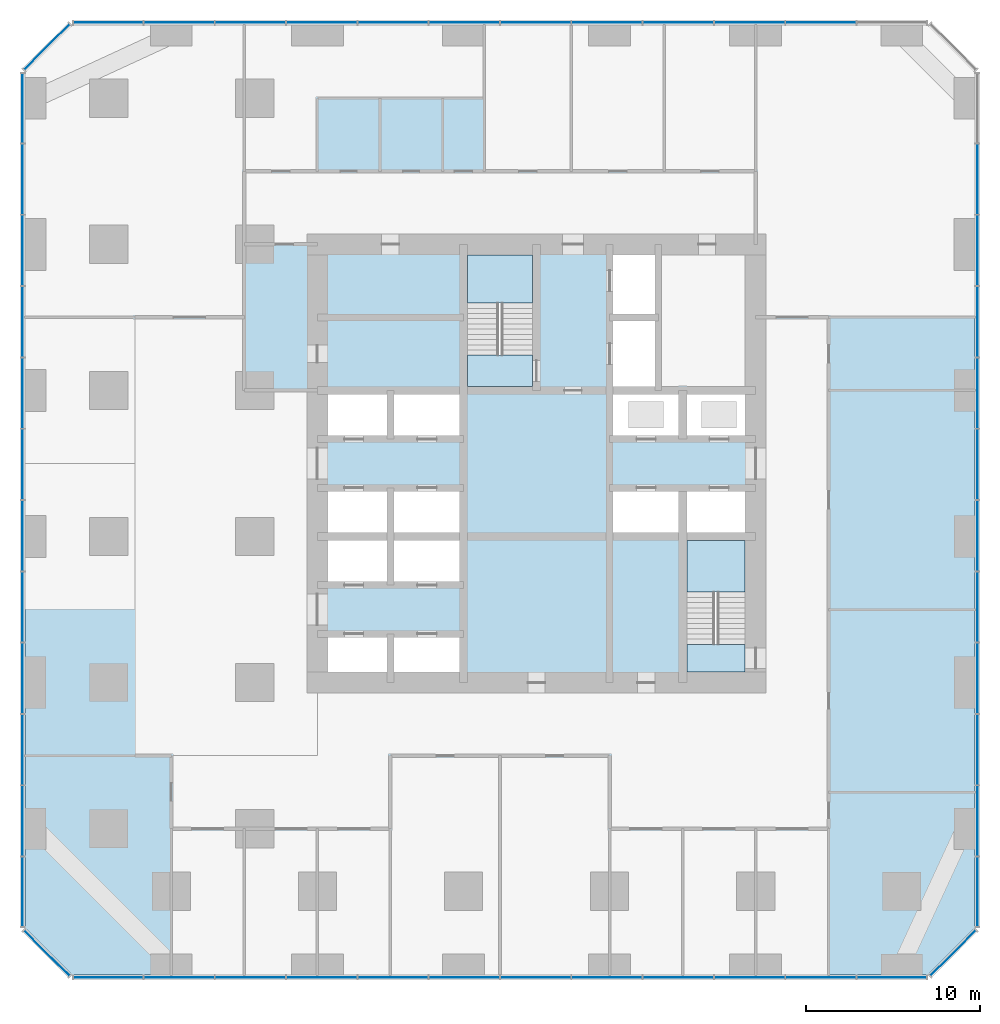
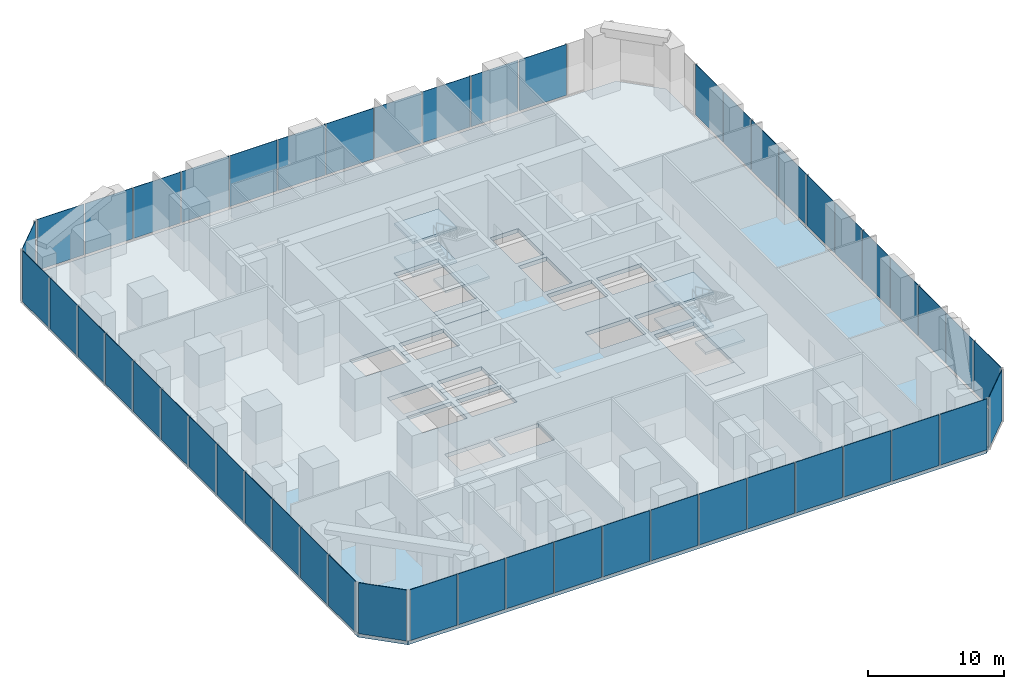
# One storey, part 6 of 13: 49 plates, 9 slabs, 9 elements without a shape of their own.
"""IFC4 building model written with IfcOpenShell, lengths in metres."""

from ifc_helpers import new_model, si_unit, direction, frame, origin, origin_2d, place, context, subcontext, project, spatial, polyline, rectangle, outline, extrude, material, layer, layer_set, type_object, element, aggregate, save


model = new_model("IFC4")

# Units and contexts
model_context = context("Model", 3, precision=1e-05, world=origin(), true_north=direction((0.0, 1.0)))
body_context = subcontext(model_context, "Body", "Model", "MODEL_VIEW")
ifc_project = project(units=[si_unit("LENGTHUNIT", "METRE"), si_unit("AREAUNIT", "SQUARE_METRE"), si_unit("VOLUMEUNIT", "CUBIC_METRE"), si_unit("PLANEANGLEUNIT", "RADIAN"), si_unit("MASSUNIT", "GRAM", prefix="KILO")], contexts=[model_context])

# Site, building, storey
site_placement = place(None, origin())
site = spatial("IfcSite", under=ifc_project, at=site_placement, CompositionType="ELEMENT")
building_placement = place(site_placement, origin())
building = spatial("IfcBuilding", under=site, at=building_placement, Name="Dunama Terrace Hotel", CompositionType="ELEMENT")
storey_placement = place(building_placement, frame((0.0, 0.0, 147.60009765625)))
storey = spatial("IfcBuildingStorey", under=building, at=storey_placement, Name="L38", CompositionType="ELEMENT", Elevation=147.60009765625)

# Curtain wall, plates
ifc_material_1 = material(Name="Aluminium curtain wall system", Category="aluminium")
curtain_wall_type = type_object("IfcCurtainWallType", Name="Sky lobby glazing CW-F", PredefinedType="NOTDEFINED", material=ifc_material_1)
curtain_wall_1_placement = place(storey_placement, origin())
curtain_wall_1 = element("IfcCurtainWall", 1, at=curtain_wall_1_placement, inside=storey, type_object=curtain_wall_type, Name="Sky lobby glazing CW-F L38", PredefinedType="NOTDEFINED")
ifc_material_2 = material(Name="Laminated glass", Category="glass")
ifc_layer_1 = layer(ifc_material_2, 0.0400390625)
ifc_layer_set_1 = layer_set([ifc_layer_1], Name="CWF clear glass panel")
plate_type_1 = type_object("IfcPlateType", Name="CWF clear glass panel", PredefinedType="CURTAIN_PANEL", material=ifc_layer_set_1)
plate_1_placement = place(storey_placement, frame((12.949951171875, -0.14990234375, 0.099853515625), z_axis=(0.0, 0.0, 1.0), x_axis=(1.0, 0.0, 0.0)))
plate_1 = element("IfcPlate", 2, at=plate_1_placement, type_object=plate_type_1, Name="CWF clear glass panel", PredefinedType="CURTAIN_PANEL", context=body_context, shape_type="SweptSolid", body=[
    extrude(rectangle(XDim=4.02001953125, YDim=0.0400390625, at=origin_2d()), origin(), (0.0, 0.0, 1.0), 4.5791015625),
])
plate_2_placement = place(storey_placement, frame((25.25, -0.14990234375, 0.099853515625), z_axis=(0.0, 0.0, 1.0), x_axis=(1.0, 0.0, 0.0)))
plate_2 = element("IfcPlate", 3, at=plate_2_placement, type_object=plate_type_1, Name="CWF clear glass panel", PredefinedType="CURTAIN_PANEL", context=body_context, shape_type="SweptSolid", body=[
    extrude(rectangle(XDim=4.02001953125, YDim=0.0400390625, at=origin_2d()), origin(), (0.0, 0.0, 1.0), 4.5791015625),
])
plate_3_placement = place(storey_placement, frame((37.550048828125, -0.14990234375, 0.099853515625), z_axis=(0.0, 0.0, 1.0), x_axis=(1.0, 0.0, 0.0)))
plate_3 = element("IfcPlate", 4, at=plate_3_placement, type_object=plate_type_1, Name="CWF clear glass panel", PredefinedType="CURTAIN_PANEL", context=body_context, shape_type="SweptSolid", body=[
    extrude(rectangle(XDim=4.02001953125, YDim=0.0400390625, at=origin_2d()), origin(), (0.0, 0.0, 1.0), 4.5791015625),
])
plate_4_placement = place(storey_placement, frame((49.830078125, -0.14990234375, 0.099853515625), z_axis=(0.0, 0.0, 1.0), x_axis=(1.0, 0.0, 0.0)))
plate_4 = element("IfcPlate", 5, at=plate_4_placement, type_object=plate_type_1, Name="CWF clear glass panel", PredefinedType="CURTAIN_PANEL", context=body_context, shape_type="SweptSolid", body=[
    extrude(rectangle(XDim=3.97998046875, YDim=0.0400390625, at=origin_2d()), origin(), (0.0, 0.0, 1.0), 4.5791015625),
])

curtain_wall_2_placement = place(storey_placement, origin())
curtain_wall_2 = element("IfcCurtainWall", 6, at=curtain_wall_2_placement, inside=storey, type_object=curtain_wall_type, Name="Sky lobby glazing CW-F L38", PredefinedType="NOTDEFINED")
plate_5_placement = place(storey_placement, frame((54.75, 12.949951171875, 0.099853515625), z_axis=(0.0, 0.0, 1.0), x_axis=(0.0, 1.0, 0.0)))
plate_5 = element("IfcPlate", 7, at=plate_5_placement, type_object=plate_type_1, Name="CWF clear glass panel", PredefinedType="CURTAIN_PANEL", context=body_context, shape_type="SweptSolid", body=[
    extrude(rectangle(XDim=4.02001953125, YDim=0.0400390625, at=origin_2d()), origin(), (0.0, 0.0, 1.0), 4.5791015625),
])
plate_6_placement = place(storey_placement, frame((54.75, 25.25, 0.099853515625), z_axis=(0.0, 0.0, 1.0), x_axis=(0.0, 1.0, 0.0)))
plate_6 = element("IfcPlate", 8, at=plate_6_placement, type_object=plate_type_1, Name="CWF clear glass panel", PredefinedType="CURTAIN_PANEL", context=body_context, shape_type="SweptSolid", body=[
    extrude(rectangle(XDim=4.02001953125, YDim=0.0400390625, at=origin_2d()), origin(), (0.0, 0.0, 1.0), 4.5791015625),
])
plate_7_placement = place(storey_placement, frame((54.75, 37.550048828125, 0.099853515625), z_axis=(0.0, 0.0, 1.0), x_axis=(0.0, 1.0, 0.0)))
plate_7 = element("IfcPlate", 9, at=plate_7_placement, type_object=plate_type_1, Name="CWF clear glass panel", PredefinedType="CURTAIN_PANEL", context=body_context, shape_type="SweptSolid", body=[
    extrude(rectangle(XDim=4.02001953125, YDim=0.0400390625, at=origin_2d()), origin(), (0.0, 0.0, 1.0), 4.5791015625),
])

curtain_wall_3_placement = place(storey_placement, origin())
curtain_wall_3 = element("IfcCurtainWall", 10, at=curtain_wall_3_placement, inside=storey, type_object=curtain_wall_type, Name="Sky lobby glazing CW-F L38", PredefinedType="NOTDEFINED")
plate_8_placement = place(storey_placement, frame((41.64990234375, 54.75, 0.099853515625), z_axis=(0.0, 0.0, 1.0), x_axis=(-1.0, 0.0, 0.0)))
plate_8 = element("IfcPlate", 11, at=plate_8_placement, type_object=plate_type_1, Name="CWF clear glass panel", PredefinedType="CURTAIN_PANEL", context=body_context, shape_type="SweptSolid", body=[
    extrude(rectangle(XDim=4.02001953125, YDim=0.0400390625, at=origin_2d()), origin(), (0.0, 0.0, 1.0), 4.5791015625),
])
plate_9_placement = place(storey_placement, frame((29.35009765625, 54.75, 0.099853515625), z_axis=(0.0, 0.0, 1.0), x_axis=(-1.0, 0.0, 0.0)))
plate_9 = element("IfcPlate", 12, at=plate_9_placement, type_object=plate_type_1, Name="CWF clear glass panel", PredefinedType="CURTAIN_PANEL", context=body_context, shape_type="SweptSolid", body=[
    extrude(rectangle(XDim=4.02001953125, YDim=0.0400390625, at=origin_2d()), origin(), (0.0, 0.0, 1.0), 4.5791015625),
])
plate_10_placement = place(storey_placement, frame((17.050048828125, 54.75, 0.099853515625), z_axis=(0.0, 0.0, 1.0), x_axis=(-1.0, 0.0, 0.0)))
plate_10 = element("IfcPlate", 13, at=plate_10_placement, type_object=plate_type_1, Name="CWF clear glass panel", PredefinedType="CURTAIN_PANEL", context=body_context, shape_type="SweptSolid", body=[
    extrude(rectangle(XDim=4.02001953125, YDim=0.0400390625, at=origin_2d()), origin(), (0.0, 0.0, 1.0), 4.5791015625),
])
plate_11_placement = place(storey_placement, frame((4.77001953125, 54.75, 0.099853515625), z_axis=(0.0, 0.0, 1.0), x_axis=(-1.0, 0.0, 0.0)))
plate_11 = element("IfcPlate", 14, at=plate_11_placement, type_object=plate_type_1, Name="CWF clear glass panel", PredefinedType="CURTAIN_PANEL", context=body_context, shape_type="SweptSolid", body=[
    extrude(rectangle(XDim=3.97998046875, YDim=0.0400390625, at=origin_2d()), origin(), (0.0, 0.0, 1.0), 4.5791015625),
])

curtain_wall_4_placement = place(storey_placement, origin())
curtain_wall_4 = element("IfcCurtainWall", 15, at=curtain_wall_4_placement, inside=storey, type_object=curtain_wall_type, Name="Sky lobby glazing CW-F L38", PredefinedType="NOTDEFINED")
plate_12_placement = place(storey_placement, frame((-0.14990234375, 41.64990234375, 0.099853515625), z_axis=(0.0, 0.0, 1.0), x_axis=(0.0, -1.0, 0.0)))
plate_12 = element("IfcPlate", 16, at=plate_12_placement, type_object=plate_type_1, Name="CWF clear glass panel", PredefinedType="CURTAIN_PANEL", context=body_context, shape_type="SweptSolid", body=[
    extrude(rectangle(XDim=4.02001953125, YDim=0.0400390625, at=origin_2d()), origin(), (0.0, 0.0, 1.0), 4.5791015625),
])
plate_13_placement = place(storey_placement, frame((-0.14990234375, 29.35009765625, 0.099853515625), z_axis=(0.0, 0.0, 1.0), x_axis=(0.0, -1.0, 0.0)))
plate_13 = element("IfcPlate", 17, at=plate_13_placement, type_object=plate_type_1, Name="CWF clear glass panel", PredefinedType="CURTAIN_PANEL", context=body_context, shape_type="SweptSolid", body=[
    extrude(rectangle(XDim=4.02001953125, YDim=0.0400390625, at=origin_2d()), origin(), (0.0, 0.0, 1.0), 4.5791015625),
])
plate_14_placement = place(storey_placement, frame((-0.14990234375, 17.050048828125, 0.099853515625), z_axis=(0.0, 0.0, 1.0), x_axis=(0.0, -1.0, 0.0)))
plate_14 = element("IfcPlate", 18, at=plate_14_placement, type_object=plate_type_1, Name="CWF clear glass panel", PredefinedType="CURTAIN_PANEL", context=body_context, shape_type="SweptSolid", body=[
    extrude(rectangle(XDim=4.02001953125, YDim=0.0400390625, at=origin_2d()), origin(), (0.0, 0.0, 1.0), 4.5791015625),
])
plate_15_placement = place(storey_placement, frame((-0.14990234375, 4.77001953125, 0.099853515625), z_axis=(0.0, 0.0, 1.0), x_axis=(0.0, -1.0, 0.0)))
plate_15 = element("IfcPlate", 19, at=plate_15_placement, type_object=plate_type_1, Name="CWF clear glass panel", PredefinedType="CURTAIN_PANEL", context=body_context, shape_type="SweptSolid", body=[
    extrude(rectangle(XDim=3.97998046875, YDim=0.0400390625, at=origin_2d()), origin(), (0.0, 0.0, 1.0), 4.5791015625),
])

# Plate
ifc_material_3 = material(Name="Fritted laminated glass", Category="glass")
ifc_layer_2 = layer(ifc_material_3, 0.0400390625)
ifc_layer_set_2 = layer_set([ifc_layer_2], Name="CWF fritted glass panel")
plate_type_2 = type_object("IfcPlateType", Name="CWF fritted glass panel", PredefinedType="CURTAIN_PANEL", material=ifc_layer_set_2)
plate_16_placement = place(storey_placement, frame((8.85009765625, -0.14990234375, 0.099853515625), z_axis=(0.0, 0.0, 1.0), x_axis=(1.0, 0.0, 0.0)))
plate_16 = element("IfcPlate", 20, at=plate_16_placement, type_object=plate_type_2, Name="CWF fritted glass panel", PredefinedType="CURTAIN_PANEL", context=body_context, shape_type="SweptSolid", body=[
    extrude(rectangle(XDim=4.02001953125, YDim=0.0400390625, at=origin_2d()), origin(), (0.0, 0.0, 1.0), 4.5791015625),
])

plate_17_placement = place(storey_placement, frame((21.14990234375, -0.14990234375, 0.099853515625), z_axis=(0.0, 0.0, 1.0), x_axis=(1.0, 0.0, 0.0)))
plate_17 = element("IfcPlate", 21, at=plate_17_placement, type_object=plate_type_2, Name="CWF fritted glass panel", PredefinedType="CURTAIN_PANEL", context=body_context, shape_type="SweptSolid", body=[
    extrude(rectangle(XDim=4.02001953125, YDim=0.0400390625, at=origin_2d()), origin(), (0.0, 0.0, 1.0), 4.5791015625),
])

plate_18_placement = place(storey_placement, frame((33.449951171875, -0.14990234375, 0.099853515625), z_axis=(0.0, 0.0, 1.0), x_axis=(1.0, 0.0, 0.0)))
plate_18 = element("IfcPlate", 22, at=plate_18_placement, type_object=plate_type_2, Name="CWF fritted glass panel", PredefinedType="CURTAIN_PANEL", context=body_context, shape_type="SweptSolid", body=[
    extrude(rectangle(XDim=4.02001953125, YDim=0.0400390625, at=origin_2d()), origin(), (0.0, 0.0, 1.0), 4.5791015625),
])

plate_19_placement = place(storey_placement, frame((45.75, -0.14990234375, 0.099853515625), z_axis=(0.0, 0.0, 1.0), x_axis=(1.0, 0.0, 0.0)))
plate_19 = element("IfcPlate", 23, at=plate_19_placement, type_object=plate_type_2, Name="CWF fritted glass panel", PredefinedType="CURTAIN_PANEL", context=body_context, shape_type="SweptSolid", body=[
    extrude(rectangle(XDim=4.02001953125, YDim=0.0400390625, at=origin_2d()), origin(), (0.0, 0.0, 1.0), 4.5791015625),
])

plate_20_placement = place(storey_placement, frame((54.75, 8.85009765625, 0.099853515625), z_axis=(0.0, 0.0, 1.0), x_axis=(0.0, 1.0, 0.0)))
plate_20 = element("IfcPlate", 24, at=plate_20_placement, type_object=plate_type_2, Name="CWF fritted glass panel", PredefinedType="CURTAIN_PANEL", context=body_context, shape_type="SweptSolid", body=[
    extrude(rectangle(XDim=4.02001953125, YDim=0.0400390625, at=origin_2d()), origin(), (0.0, 0.0, 1.0), 4.5791015625),
])

plate_21_placement = place(storey_placement, frame((54.75, 21.14990234375, 0.099853515625), z_axis=(0.0, 0.0, 1.0), x_axis=(0.0, 1.0, 0.0)))
plate_21 = element("IfcPlate", 25, at=plate_21_placement, type_object=plate_type_2, Name="CWF fritted glass panel", PredefinedType="CURTAIN_PANEL", context=body_context, shape_type="SweptSolid", body=[
    extrude(rectangle(XDim=4.02001953125, YDim=0.0400390625, at=origin_2d()), origin(), (0.0, 0.0, 1.0), 4.5791015625),
])

plate_22_placement = place(storey_placement, frame((54.75, 33.449951171875, 0.099853515625), z_axis=(0.0, 0.0, 1.0), x_axis=(0.0, 1.0, 0.0)))
plate_22 = element("IfcPlate", 26, at=plate_22_placement, type_object=plate_type_2, Name="CWF fritted glass panel", PredefinedType="CURTAIN_PANEL", context=body_context, shape_type="SweptSolid", body=[
    extrude(rectangle(XDim=4.02001953125, YDim=0.0400390625, at=origin_2d()), origin(), (0.0, 0.0, 1.0), 4.5791015625),
])

plate_23_placement = place(storey_placement, frame((54.75, 45.75, 0.099853515625), z_axis=(0.0, 0.0, 1.0), x_axis=(0.0, 1.0, 0.0)))
plate_23 = element("IfcPlate", 27, at=plate_23_placement, type_object=plate_type_2, Name="CWF fritted glass panel", PredefinedType="CURTAIN_PANEL", context=body_context, shape_type="SweptSolid", body=[
    extrude(rectangle(XDim=4.02001953125, YDim=0.0400390625, at=origin_2d()), origin(), (0.0, 0.0, 1.0), 4.5791015625),
])

plate_24_placement = place(storey_placement, frame((45.75, 54.75, 0.099853515625), z_axis=(0.0, 0.0, 1.0), x_axis=(-1.0, 0.0, 0.0)))
plate_24 = element("IfcPlate", 28, at=plate_24_placement, type_object=plate_type_2, Name="CWF fritted glass panel", PredefinedType="CURTAIN_PANEL", context=body_context, shape_type="SweptSolid", body=[
    extrude(rectangle(XDim=4.02001953125, YDim=0.0400390625, at=origin_2d()), origin(), (0.0, 0.0, 1.0), 4.5791015625),
])

plate_25_placement = place(storey_placement, frame((33.449951171875, 54.75, 0.099853515625), z_axis=(0.0, 0.0, 1.0), x_axis=(-1.0, 0.0, 0.0)))
plate_25 = element("IfcPlate", 29, at=plate_25_placement, type_object=plate_type_2, Name="CWF fritted glass panel", PredefinedType="CURTAIN_PANEL", context=body_context, shape_type="SweptSolid", body=[
    extrude(rectangle(XDim=4.02001953125, YDim=0.0400390625, at=origin_2d()), origin(), (0.0, 0.0, 1.0), 4.5791015625),
])

plate_26_placement = place(storey_placement, frame((21.14990234375, 54.75, 0.099853515625), z_axis=(0.0, 0.0, 1.0), x_axis=(-1.0, 0.0, 0.0)))
plate_26 = element("IfcPlate", 30, at=plate_26_placement, type_object=plate_type_2, Name="CWF fritted glass panel", PredefinedType="CURTAIN_PANEL", context=body_context, shape_type="SweptSolid", body=[
    extrude(rectangle(XDim=4.02001953125, YDim=0.0400390625, at=origin_2d()), origin(), (0.0, 0.0, 1.0), 4.5791015625),
])

plate_27_placement = place(storey_placement, frame((8.85009765625, 54.75, 0.099853515625), z_axis=(0.0, 0.0, 1.0), x_axis=(-1.0, 0.0, 0.0)))
plate_27 = element("IfcPlate", 31, at=plate_27_placement, type_object=plate_type_2, Name="CWF fritted glass panel", PredefinedType="CURTAIN_PANEL", context=body_context, shape_type="SweptSolid", body=[
    extrude(rectangle(XDim=4.02001953125, YDim=0.0400390625, at=origin_2d()), origin(), (0.0, 0.0, 1.0), 4.5791015625),
])

plate_28_placement = place(storey_placement, frame((-0.14990234375, 45.75, 0.099853515625), z_axis=(0.0, 0.0, 1.0), x_axis=(0.0, -1.0, 0.0)))
plate_28 = element("IfcPlate", 32, at=plate_28_placement, type_object=plate_type_2, Name="CWF fritted glass panel", PredefinedType="CURTAIN_PANEL", context=body_context, shape_type="SweptSolid", body=[
    extrude(rectangle(XDim=4.02001953125, YDim=0.0400390625, at=origin_2d()), origin(), (0.0, 0.0, 1.0), 4.5791015625),
])

plate_29_placement = place(storey_placement, frame((-0.14990234375, 33.449951171875, 0.099853515625), z_axis=(0.0, 0.0, 1.0), x_axis=(0.0, -1.0, 0.0)))
plate_29 = element("IfcPlate", 33, at=plate_29_placement, type_object=plate_type_2, Name="CWF fritted glass panel", PredefinedType="CURTAIN_PANEL", context=body_context, shape_type="SweptSolid", body=[
    extrude(rectangle(XDim=4.02001953125, YDim=0.0400390625, at=origin_2d()), origin(), (0.0, 0.0, 1.0), 4.5791015625),
])

plate_30_placement = place(storey_placement, frame((-0.14990234375, 21.14990234375, 0.099853515625), z_axis=(0.0, 0.0, 1.0), x_axis=(0.0, -1.0, 0.0)))
plate_30 = element("IfcPlate", 34, at=plate_30_placement, type_object=plate_type_2, Name="CWF fritted glass panel", PredefinedType="CURTAIN_PANEL", context=body_context, shape_type="SweptSolid", body=[
    extrude(rectangle(XDim=4.02001953125, YDim=0.0400390625, at=origin_2d()), origin(), (0.0, 0.0, 1.0), 4.5791015625),
])

plate_31_placement = place(storey_placement, frame((-0.14990234375, 8.85009765625, 0.099853515625), z_axis=(0.0, 0.0, 1.0), x_axis=(0.0, -1.0, 0.0)))
plate_31 = element("IfcPlate", 35, at=plate_31_placement, type_object=plate_type_2, Name="CWF fritted glass panel", PredefinedType="CURTAIN_PANEL", context=body_context, shape_type="SweptSolid", body=[
    extrude(rectangle(XDim=4.02001953125, YDim=0.0400390625, at=origin_2d()), origin(), (0.0, 0.0, 1.0), 4.5791015625),
])

ifc_material_4 = material(Name="Laminated glass", Category="glass")
ifc_layer_3 = layer(ifc_material_4, 0.0400390625)
ifc_layer_set_3 = layer_set([ifc_layer_3], Name="CWF operable glass panel")
plate_type_3 = type_object("IfcPlateType", Name="CWF operable glass panel", PredefinedType="CURTAIN_PANEL", material=ifc_layer_set_3)
plate_32_placement = place(storey_placement, frame((4.77001953125, -0.14990234375, 0.099853515625), z_axis=(0.0, 0.0, 1.0), x_axis=(1.0, 0.0, 0.0)))
plate_32 = element("IfcPlate", 36, at=plate_32_placement, type_object=plate_type_3, Name="CWF operable glass panel", PredefinedType="CURTAIN_PANEL", context=body_context, shape_type="SweptSolid", body=[
    extrude(rectangle(XDim=3.97998046875, YDim=0.0400390625, at=origin_2d()), origin(), (0.0, 0.0, 1.0), 4.5791015625),
])

plate_33_placement = place(storey_placement, frame((17.050048828125, -0.14990234375, 0.099853515625), z_axis=(0.0, 0.0, 1.0), x_axis=(1.0, 0.0, 0.0)))
plate_33 = element("IfcPlate", 37, at=plate_33_placement, type_object=plate_type_3, Name="CWF operable glass panel", PredefinedType="CURTAIN_PANEL", context=body_context, shape_type="SweptSolid", body=[
    extrude(rectangle(XDim=4.02001953125, YDim=0.0400390625, at=origin_2d()), origin(), (0.0, 0.0, 1.0), 4.5791015625),
])

plate_34_placement = place(storey_placement, frame((29.35009765625, -0.14990234375, 0.099853515625), z_axis=(0.0, 0.0, 1.0), x_axis=(1.0, 0.0, 0.0)))
plate_34 = element("IfcPlate", 38, at=plate_34_placement, type_object=plate_type_3, Name="CWF operable glass panel", PredefinedType="CURTAIN_PANEL", context=body_context, shape_type="SweptSolid", body=[
    extrude(rectangle(XDim=4.02001953125, YDim=0.0400390625, at=origin_2d()), origin(), (0.0, 0.0, 1.0), 4.5791015625),
])

plate_35_placement = place(storey_placement, frame((41.64990234375, -0.14990234375, 0.099853515625), z_axis=(0.0, 0.0, 1.0), x_axis=(1.0, 0.0, 0.0)))
plate_35 = element("IfcPlate", 39, at=plate_35_placement, type_object=plate_type_3, Name="CWF operable glass panel", PredefinedType="CURTAIN_PANEL", context=body_context, shape_type="SweptSolid", body=[
    extrude(rectangle(XDim=4.02001953125, YDim=0.0400390625, at=origin_2d()), origin(), (0.0, 0.0, 1.0), 4.5791015625),
])

aggregate(curtain_wall_1, [plate_32, plate_16, plate_1, plate_33, plate_17, plate_2, plate_34, plate_18, plate_3, plate_35, plate_19, plate_4])

# Curtain wall, plate
curtain_wall_5_placement = place(storey_placement, origin())
curtain_wall_5 = element("IfcCurtainWall", 40, at=curtain_wall_5_placement, inside=storey, type_object=curtain_wall_type, Name="Sky lobby glazing CW-F L38", PredefinedType="NOTDEFINED")
plate_36_placement = place(storey_placement, frame((53.35595703125, 1.243896484375, 0.099853515625), z_axis=(0.0, 0.0, 1.0), x_axis=(0.707106781187, 0.707106781187, 0.0)))
plate_36 = element("IfcPlate", 41, at=plate_36_placement, type_object=plate_type_3, Name="CWF operable glass panel", PredefinedType="CURTAIN_PANEL", context=body_context, shape_type="SweptSolid", body=[
    extrude(rectangle(XDim=3.658447265625, YDim=0.0400390625, at=origin_2d()), origin(), (0.0, 0.0, 1.0), 4.5791015625),
])
aggregate(curtain_wall_5, [plate_36])

# Plate
plate_37_placement = place(storey_placement, frame((54.75, 4.77001953125, 0.099853515625), z_axis=(0.0, 0.0, 1.0), x_axis=(0.0, 1.0, 0.0)))
plate_37 = element("IfcPlate", 42, at=plate_37_placement, type_object=plate_type_3, Name="CWF operable glass panel", PredefinedType="CURTAIN_PANEL", context=body_context, shape_type="SweptSolid", body=[
    extrude(rectangle(XDim=3.97998046875, YDim=0.0400390625, at=origin_2d()), origin(), (0.0, 0.0, 1.0), 4.5791015625),
])

plate_38_placement = place(storey_placement, frame((54.75, 17.050048828125, 0.099853515625), z_axis=(0.0, 0.0, 1.0), x_axis=(0.0, 1.0, 0.0)))
plate_38 = element("IfcPlate", 43, at=plate_38_placement, type_object=plate_type_3, Name="CWF operable glass panel", PredefinedType="CURTAIN_PANEL", context=body_context, shape_type="SweptSolid", body=[
    extrude(rectangle(XDim=4.02001953125, YDim=0.0400390625, at=origin_2d()), origin(), (0.0, 0.0, 1.0), 4.5791015625),
])

plate_39_placement = place(storey_placement, frame((54.75, 29.35009765625, 0.099853515625), z_axis=(0.0, 0.0, 1.0), x_axis=(0.0, 1.0, 0.0)))
plate_39 = element("IfcPlate", 44, at=plate_39_placement, type_object=plate_type_3, Name="CWF operable glass panel", PredefinedType="CURTAIN_PANEL", context=body_context, shape_type="SweptSolid", body=[
    extrude(rectangle(XDim=4.02001953125, YDim=0.0400390625, at=origin_2d()), origin(), (0.0, 0.0, 1.0), 4.5791015625),
])

plate_40_placement = place(storey_placement, frame((54.75, 41.64990234375, 0.099853515625), z_axis=(0.0, 0.0, 1.0), x_axis=(0.0, 1.0, 0.0)))
plate_40 = element("IfcPlate", 45, at=plate_40_placement, type_object=plate_type_3, Name="CWF operable glass panel", PredefinedType="CURTAIN_PANEL", context=body_context, shape_type="SweptSolid", body=[
    extrude(rectangle(XDim=4.02001953125, YDim=0.0400390625, at=origin_2d()), origin(), (0.0, 0.0, 1.0), 4.5791015625),
])

aggregate(curtain_wall_2, [plate_37, plate_20, plate_5, plate_38, plate_21, plate_6, plate_39, plate_22, plate_7, plate_40, plate_23])

plate_41_placement = place(storey_placement, frame((37.550048828125, 54.75, 0.099853515625), z_axis=(0.0, 0.0, 1.0), x_axis=(-1.0, 0.0, 0.0)))
plate_41 = element("IfcPlate", 46, at=plate_41_placement, type_object=plate_type_3, Name="CWF operable glass panel", PredefinedType="CURTAIN_PANEL", context=body_context, shape_type="SweptSolid", body=[
    extrude(rectangle(XDim=4.02001953125, YDim=0.0400390625, at=origin_2d()), origin(), (0.0, 0.0, 1.0), 4.5791015625),
])

plate_42_placement = place(storey_placement, frame((25.25, 54.75, 0.099853515625), z_axis=(0.0, 0.0, 1.0), x_axis=(-1.0, 0.0, 0.0)))
plate_42 = element("IfcPlate", 47, at=plate_42_placement, type_object=plate_type_3, Name="CWF operable glass panel", PredefinedType="CURTAIN_PANEL", context=body_context, shape_type="SweptSolid", body=[
    extrude(rectangle(XDim=4.02001953125, YDim=0.0400390625, at=origin_2d()), origin(), (0.0, 0.0, 1.0), 4.5791015625),
])

plate_43_placement = place(storey_placement, frame((12.949951171875, 54.75, 0.099853515625), z_axis=(0.0, 0.0, 1.0), x_axis=(-1.0, 0.0, 0.0)))
plate_43 = element("IfcPlate", 48, at=plate_43_placement, type_object=plate_type_3, Name="CWF operable glass panel", PredefinedType="CURTAIN_PANEL", context=body_context, shape_type="SweptSolid", body=[
    extrude(rectangle(XDim=4.02001953125, YDim=0.0400390625, at=origin_2d()), origin(), (0.0, 0.0, 1.0), 4.5791015625),
])

aggregate(curtain_wall_3, [plate_24, plate_8, plate_41, plate_25, plate_9, plate_42, plate_26, plate_10, plate_43, plate_27, plate_11])

# Curtain wall, plate
curtain_wall_6_placement = place(storey_placement, origin())
curtain_wall_6 = element("IfcCurtainWall", 49, at=curtain_wall_6_placement, inside=storey, type_object=curtain_wall_type, Name="Sky lobby glazing CW-F L38", PredefinedType="NOTDEFINED")
plate_44_placement = place(storey_placement, frame((1.243896484375, 53.35595703125, 0.099853515625), z_axis=(0.0, 0.0, 1.0), x_axis=(-0.707106781187, -0.707106781187, 0.0)))
plate_44 = element("IfcPlate", 50, at=plate_44_placement, type_object=plate_type_3, Name="CWF operable glass panel", PredefinedType="CURTAIN_PANEL", context=body_context, shape_type="SweptSolid", body=[
    extrude(rectangle(XDim=3.658447265625, YDim=0.0400390625, at=origin_2d()), origin(), (0.0, 0.0, 1.0), 4.5791015625),
])
aggregate(curtain_wall_6, [plate_44])

# Plate
plate_45_placement = place(storey_placement, frame((-0.14990234375, 49.830078125, 0.099853515625), z_axis=(0.0, 0.0, 1.0), x_axis=(0.0, -1.0, 0.0)))
plate_45 = element("IfcPlate", 51, at=plate_45_placement, type_object=plate_type_3, Name="CWF operable glass panel", PredefinedType="CURTAIN_PANEL", context=body_context, shape_type="SweptSolid", body=[
    extrude(rectangle(XDim=3.97998046875, YDim=0.0400390625, at=origin_2d()), origin(), (0.0, 0.0, 1.0), 4.5791015625),
])

plate_46_placement = place(storey_placement, frame((-0.14990234375, 37.550048828125, 0.099853515625), z_axis=(0.0, 0.0, 1.0), x_axis=(0.0, -1.0, 0.0)))
plate_46 = element("IfcPlate", 52, at=plate_46_placement, type_object=plate_type_3, Name="CWF operable glass panel", PredefinedType="CURTAIN_PANEL", context=body_context, shape_type="SweptSolid", body=[
    extrude(rectangle(XDim=4.02001953125, YDim=0.0400390625, at=origin_2d()), origin(), (0.0, 0.0, 1.0), 4.5791015625),
])

plate_47_placement = place(storey_placement, frame((-0.14990234375, 25.25, 0.099853515625), z_axis=(0.0, 0.0, 1.0), x_axis=(0.0, -1.0, 0.0)))
plate_47 = element("IfcPlate", 53, at=plate_47_placement, type_object=plate_type_3, Name="CWF operable glass panel", PredefinedType="CURTAIN_PANEL", context=body_context, shape_type="SweptSolid", body=[
    extrude(rectangle(XDim=4.02001953125, YDim=0.0400390625, at=origin_2d()), origin(), (0.0, 0.0, 1.0), 4.5791015625),
])

plate_48_placement = place(storey_placement, frame((-0.14990234375, 12.949951171875, 0.099853515625), z_axis=(0.0, 0.0, 1.0), x_axis=(0.0, -1.0, 0.0)))
plate_48 = element("IfcPlate", 54, at=plate_48_placement, type_object=plate_type_3, Name="CWF operable glass panel", PredefinedType="CURTAIN_PANEL", context=body_context, shape_type="SweptSolid", body=[
    extrude(rectangle(XDim=4.02001953125, YDim=0.0400390625, at=origin_2d()), origin(), (0.0, 0.0, 1.0), 4.5791015625),
])

aggregate(curtain_wall_4, [plate_45, plate_28, plate_12, plate_46, plate_29, plate_13, plate_47, plate_30, plate_14, plate_48, plate_31, plate_15])

# Curtain wall, plate
curtain_wall_7_placement = place(storey_placement, origin())
curtain_wall_7 = element("IfcCurtainWall", 55, at=curtain_wall_7_placement, inside=storey, type_object=curtain_wall_type, Name="Sky lobby glazing CW-F L38", PredefinedType="NOTDEFINED")
plate_49_placement = place(storey_placement, frame((1.243896484375, 1.243896484375, 0.099853515625), z_axis=(0.0, 0.0, 1.0), x_axis=(0.707106781187, -0.707106781187, 0.0)))
plate_49 = element("IfcPlate", 56, at=plate_49_placement, type_object=plate_type_3, Name="CWF operable glass panel", PredefinedType="CURTAIN_PANEL", context=body_context, shape_type="SweptSolid", body=[
    extrude(rectangle(XDim=3.658447265625, YDim=0.0400390625, at=origin_2d()), origin(), (0.0, 0.0, 1.0), 4.5791015625),
])
aggregate(curtain_wall_7, [plate_49])

# Slab
ifc_material_5 = material(Name="Concrete C40/50", Category="concrete")
ifc_layer_4 = layer(ifc_material_5, 0.35009765625)
ifc_layer_set_4 = layer_set([ifc_layer_4], Name="Flat plate 350")
slab_type_1 = type_object("IfcSlabType", Name="Flat plate 350", PredefinedType="FLOOR", material=ifc_layer_set_4)
slab_1_placement = place(storey_placement, frame((0.0, 0.0, -0.35009765625)))
element("IfcSlab", 57, at=slab_1_placement, inside=storey, type_object=slab_type_1, Name="Floor slab L38", PredefinedType="FLOOR", context=body_context, shape_type="SweptSolid", body=[
    extrude(outline(polyline([(2.699951171875, 0.0), (51.89990234375, 0.0), (54.60009765625, 2.699951171875), (54.60009765625, 51.89990234375), (51.89990234375, 54.60009765625), (2.699951171875, 54.60009765625), (0.0, 51.89990234375), (0.0, 2.699951171875), (2.699951171875, 0.0)]), holes=[polyline([(37.60009765625, 25.39990234375), (37.60009765625, 27.800048828125), (33.800048828125, 27.800048828125), (33.800048828125, 25.39990234375), (37.60009765625, 25.39990234375)]), polyline([(41.800048828125, 25.39990234375), (41.800048828125, 27.800048828125), (38.0, 27.800048828125), (38.0, 25.39990234375), (41.800048828125, 25.39990234375)]), polyline([(20.800048828125, 17.0), (20.800048828125, 19.39990234375), (17.0, 19.39990234375), (17.0, 17.0), (20.800048828125, 17.0)]), polyline([(25.0, 17.0), (25.0, 19.39990234375), (21.199951171875, 19.39990234375), (21.199951171875, 17.0), (25.0, 17.0)]), polyline([(20.800048828125, 22.60009765625), (20.800048828125, 25.0), (17.0, 25.0), (17.0, 22.60009765625), (20.800048828125, 22.60009765625)]), polyline([(25.0, 22.60009765625), (25.0, 25.0), (21.199951171875, 25.0), (21.199951171875, 22.60009765625), (25.0, 22.60009765625)]), polyline([(20.800048828125, 25.39990234375), (20.800048828125, 27.800048828125), (17.0, 27.800048828125), (17.0, 25.39990234375), (20.800048828125, 25.39990234375)]), polyline([(25.0, 25.39990234375), (25.0, 27.800048828125), (21.199951171875, 27.800048828125), (21.199951171875, 25.39990234375), (25.0, 25.39990234375)]), polyline([(20.800048828125, 31.0), (20.800048828125, 33.39990234375), (17.0, 33.39990234375), (17.0, 31.0), (20.800048828125, 31.0)]), polyline([(25.0, 31.0), (25.0, 33.39990234375), (21.199951171875, 33.39990234375), (21.199951171875, 31.0), (25.0, 31.0)]), polyline([(37.60009765625, 31.0), (37.60009765625, 33.39990234375), (33.800048828125, 33.39990234375), (33.800048828125, 31.0), (37.60009765625, 31.0)]), polyline([(41.800048828125, 31.0), (41.800048828125, 33.39990234375), (38.0, 33.39990234375), (38.0, 31.0), (41.800048828125, 31.0)]), polyline([(36.199951171875, 38.0), (36.199951171875, 41.800048828125), (33.800048828125, 41.800048828125), (33.800048828125, 38.0), (36.199951171875, 38.0)]), polyline([(36.199951171875, 33.800048828125), (36.199951171875, 37.60009765625), (33.800048828125, 37.60009765625), (33.800048828125, 33.800048828125), (36.199951171875, 33.800048828125)]), polyline([(29.175048828125, 33.824951171875), (29.175048828125, 41.39990234375), (25.425048828125, 41.39990234375), (25.425048828125, 33.824951171875), (29.175048828125, 33.824951171875)]), polyline([(41.39990234375, 17.39990234375), (41.39990234375, 24.97509765625), (38.050048828125, 24.97509765625), (38.050048828125, 17.39990234375), (41.39990234375, 17.39990234375)])]), origin(), (0.0, 0.0, 1.0), 0.35009765625),
])

# Stair, slabs
ifc_material_6 = material(Name="Concrete C40/50", Category="concrete")
stair_type_1 = type_object("IfcStairType", Name="Stair ST1-6000-1800", PredefinedType="HALF_TURN_STAIR", material=ifc_material_6)
stair_1_placement = place(storey_placement, origin())
stair_1 = element("IfcStair", 58, at=stair_1_placement, inside=storey, type_object=stair_type_1, Name="Stair ST1 L38", PredefinedType="HALF_TURN_STAIR")
ifc_material_7 = material(Name="Concrete C40/50", Category="concrete")
ifc_layer_5 = layer(ifc_material_7, 0.199951171875)
ifc_layer_set_5 = layer_set([ifc_layer_5], Name="Stair landing 200")
slab_type_2 = type_object("IfcSlabType", Name="Stair landing 200", PredefinedType="LANDING", material=ifc_layer_set_5)
slab_2_placement = place(storey_placement, frame((0.0, 0.0, -0.2001953125)))
slab_2 = element("IfcSlab", 59, at=slab_2_placement, type_object=slab_type_2, Name="ST1 landing 1, type S10", PredefinedType="LANDING", context=body_context, shape_type="SweptSolid", body=[
    extrude(outline(polyline([(25.425048828125, 33.824951171875), (29.175048828125, 33.824951171875), (29.175048828125, 35.625), (25.425048828125, 35.625), (25.425048828125, 33.824951171875)])), origin(), (0.0, 0.0, 1.0), 0.2001953125),
])
slab_3_placement = place(storey_placement, frame((0.0, 0.0, 1.2998046875)))
slab_3 = element("IfcSlab", 60, at=slab_3_placement, type_object=slab_type_2, Name="ST1 landing 2, type S10", PredefinedType="LANDING", context=body_context, shape_type="SweptSolid", body=[
    extrude(outline(polyline([(25.425048828125, 38.625), (29.175048828125, 38.625), (29.175048828125, 41.39990234375), (25.425048828125, 41.39990234375), (25.425048828125, 38.625)])), origin(), (0.0, 0.0, 1.0), 0.2001953125),
])
slab_4_placement = place(storey_placement, frame((0.0, 0.0, 2.7998046875)))
slab_4 = element("IfcSlab", 61, at=slab_4_placement, type_object=slab_type_2, Name="ST1 landing 3, type S10", PredefinedType="LANDING", context=body_context, shape_type="SweptSolid", body=[
    extrude(outline(polyline([(25.425048828125, 33.824951171875), (29.175048828125, 33.824951171875), (29.175048828125, 35.625), (25.425048828125, 35.625), (25.425048828125, 33.824951171875)])), origin(), (0.0, 0.0, 1.0), 0.2001953125),
])
slab_5_placement = place(storey_placement, frame((0.0, 0.0, 4.2998046875)))
slab_5 = element("IfcSlab", 62, at=slab_5_placement, type_object=slab_type_2, Name="ST1 landing 4, type S10", PredefinedType="LANDING", context=body_context, shape_type="SweptSolid", body=[
    extrude(outline(polyline([(25.425048828125, 38.625), (29.175048828125, 38.625), (29.175048828125, 41.39990234375), (25.425048828125, 41.39990234375), (25.425048828125, 38.625)])), origin(), (0.0, 0.0, 1.0), 0.2001953125),
])
aggregate(stair_1, [slab_2, slab_3, slab_4, slab_5])

ifc_material_8 = material(Name="Concrete C40/50", Category="concrete")
stair_type_2 = type_object("IfcStairType", Name="Stair ST2-6000-1600", PredefinedType="HALF_TURN_STAIR", material=ifc_material_8)
stair_2_placement = place(storey_placement, origin())
stair_2 = element("IfcStair", 63, at=stair_2_placement, inside=storey, type_object=stair_type_2, Name="Stair ST2 L38", PredefinedType="HALF_TURN_STAIR")
slab_6_placement = place(storey_placement, frame((0.0, 0.0, -0.2001953125)))
slab_6 = element("IfcSlab", 64, at=slab_6_placement, type_object=slab_type_2, Name="ST2 landing 1, type S10", PredefinedType="LANDING", context=body_context, shape_type="SweptSolid", body=[
    extrude(outline(polyline([(38.050048828125, 17.39990234375), (41.39990234375, 17.39990234375), (41.39990234375, 19.0), (38.050048828125, 19.0), (38.050048828125, 17.39990234375)])), origin(), (0.0, 0.0, 1.0), 0.2001953125),
])
slab_7_placement = place(storey_placement, frame((0.0, 0.0, 1.2998046875)))
slab_7 = element("IfcSlab", 65, at=slab_7_placement, type_object=slab_type_2, Name="ST2 landing 2, type S10", PredefinedType="LANDING", context=body_context, shape_type="SweptSolid", body=[
    extrude(outline(polyline([(38.050048828125, 22.0), (41.39990234375, 22.0), (41.39990234375, 24.97509765625), (38.050048828125, 24.97509765625), (38.050048828125, 22.0)])), origin(), (0.0, 0.0, 1.0), 0.2001953125),
])
slab_8_placement = place(storey_placement, frame((0.0, 0.0, 2.7998046875)))
slab_8 = element("IfcSlab", 66, at=slab_8_placement, type_object=slab_type_2, Name="ST2 landing 3, type S10", PredefinedType="LANDING", context=body_context, shape_type="SweptSolid", body=[
    extrude(outline(polyline([(38.050048828125, 17.39990234375), (41.39990234375, 17.39990234375), (41.39990234375, 19.0), (38.050048828125, 19.0), (38.050048828125, 17.39990234375)])), origin(), (0.0, 0.0, 1.0), 0.2001953125),
])
slab_9_placement = place(storey_placement, frame((0.0, 0.0, 4.2998046875)))
slab_9 = element("IfcSlab", 67, at=slab_9_placement, type_object=slab_type_2, Name="ST2 landing 4, type S10", PredefinedType="LANDING", context=body_context, shape_type="SweptSolid", body=[
    extrude(outline(polyline([(38.050048828125, 22.0), (41.39990234375, 22.0), (41.39990234375, 24.97509765625), (38.050048828125, 24.97509765625), (38.050048828125, 22.0)])), origin(), (0.0, 0.0, 1.0), 0.2001953125),
])
aggregate(stair_2, [slab_6, slab_7, slab_8, slab_9])

save(model, "model.ifc")
